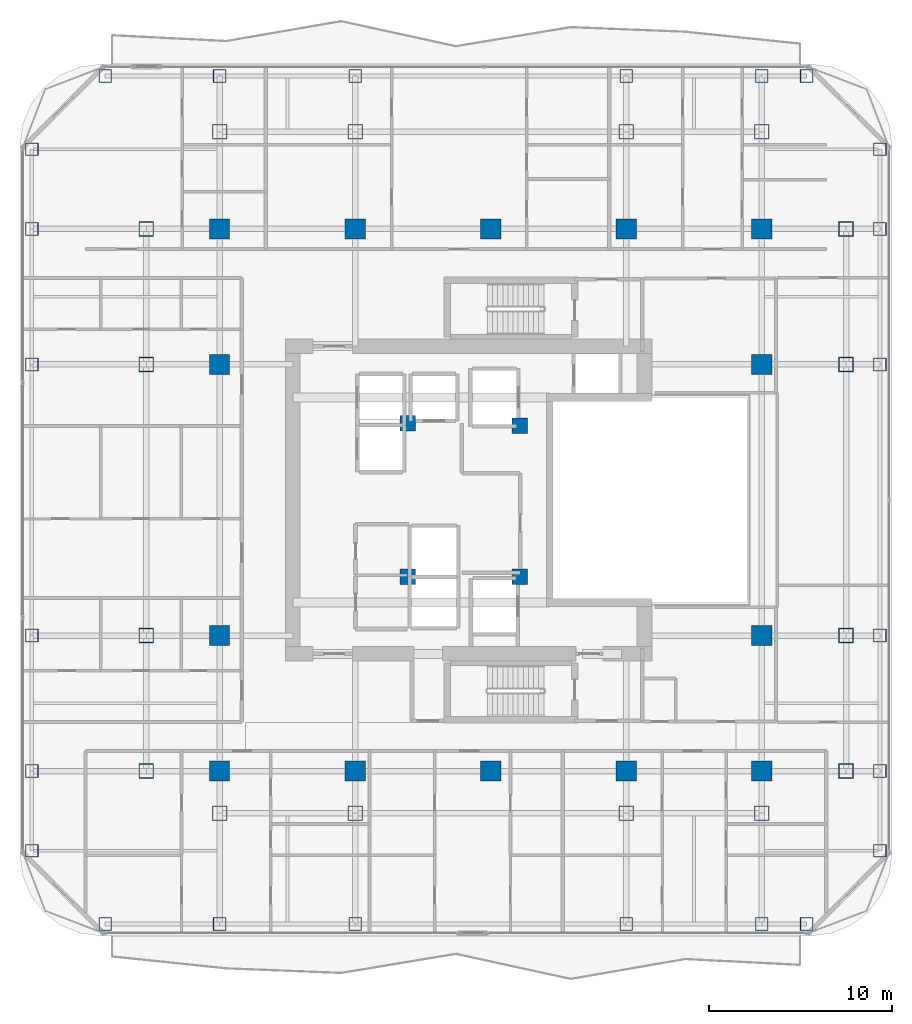
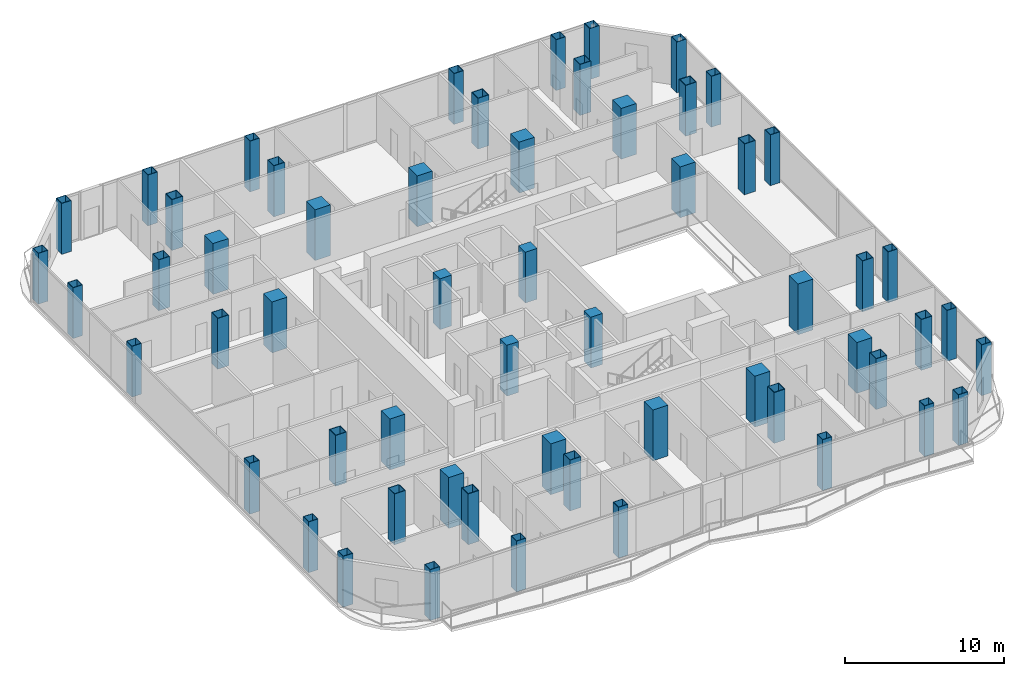
# One storey, part 1 of 26: 58 columns.
"""IFC4 building model written with IfcOpenShell, lengths in metres."""

from ifc_helpers import new_model, si_unit, direction, frame, origin, origin_2d, place, context, subcontext, project, spatial, rectangle, hollow_rectangle, extrude, material, material_profile, profile_set, type_object, element, save


model = new_model("IFC4")

# Units and contexts
model_context = context("Model", 3, precision=1e-05, world=origin(), true_north=direction((0.0, 1.0)))
body_context = subcontext(model_context, "Body", "Model", "MODEL_VIEW")
ifc_project = project(units=[si_unit("LENGTHUNIT", "METRE"), si_unit("AREAUNIT", "SQUARE_METRE"), si_unit("VOLUMEUNIT", "CUBIC_METRE"), si_unit("PLANEANGLEUNIT", "RADIAN"), si_unit("MASSUNIT", "GRAM", prefix="KILO")], contexts=[model_context])

# Site, building, storey
site_placement = place(None, origin())
site = spatial("IfcSite", under=ifc_project, at=site_placement, CompositionType="ELEMENT")
building_placement = place(site_placement, origin())
building = spatial("IfcBuilding", under=site, at=building_placement, Name="Khorvyn Point Tower", CompositionType="ELEMENT")
storey_placement = place(building_placement, frame((0.0, 0.0, 183.60009765625)))
storey = spatial("IfcBuildingStorey", under=building, at=storey_placement, Name="L45", CompositionType="ELEMENT", Elevation=183.60009765625)

# Columns
ifc_material_1 = material(Name="Concrete C40/50", Category="concrete")
ifc_material_profile_1 = material_profile(ifc_material_1, rectangle(XDim=0.85009765625, YDim=0.85009765625, at=origin_2d()))
ifc_profile_set_1 = profile_set([ifc_material_profile_1], Name="Concrete C40/50 RC850x850")
column_type_1 = type_object("IfcColumnType", Name="Concrete C40/50 Column RC850x850", PredefinedType="COLUMN", material=ifc_profile_set_1)
for number, where, z_axis, x_axis, name in (
    (1, (-4.52001953125, -4.199951171875, 0.0), (0.0, 0.0, 1.0), (1.0, 0.0, 0.0), "L45 Crown Core Spine Column 1"),
    (2, (1.580078125, -4.179931640625, 0.0), (0.0, 0.0, 1.0), (1.0, 0.0, 0.0), "L45 Crown Core Spine Column 2"),
    (3, (1.580078125, 4.050048828125, 0.0), (0.0, 0.0, 1.0), (1.0, 0.0, 0.0), "L45 Crown Core Spine Column 3"),
    (4, (-4.52001953125, 4.199951171875, 0.0), (0.0, 0.0, 1.0), (1.0, 0.0, 0.0), "L45 Crown Core Spine Column 4"),
):
    element("IfcColumn", number, at=place(storey_placement, frame(where, z_axis=z_axis, x_axis=x_axis)), inside=storey, type_object=column_type_1, Name=name, PredefinedType="COLUMN", context=body_context, shape_type="SweptSolid", body=[
        extrude(rectangle(XDim=0.85009765625, YDim=0.85009765625, at=origin_2d()), origin(), (0.0, 0.0, 1.0), 3.89990234375),
    ])
ifc_material_2 = material(Name="Concrete C45/55", Category="concrete")
ifc_material_profile_2 = material_profile(ifc_material_2, rectangle(XDim=1.10009765625, YDim=1.10009765625, at=origin_2d()))
ifc_profile_set_2 = profile_set([ifc_material_profile_2], Name="Concrete C45/55 RC1100x1100")
column_type_2 = type_object("IfcColumnType", Name="Concrete C45/55 Column RC1100x1100", PredefinedType="COLUMN", material=ifc_profile_set_2)
for number, where, z_axis, x_axis, name in (
    (5, (-14.800048828125, -14.800048828125, 0.0), (0.0, 0.0, 1.0), (1.0, 0.0, 0.0), "L45 Mega-Column MC-01"),
    (6, (-7.39990234375, -14.800048828125, 0.0), (0.0, 0.0, 1.0), (1.0, 0.0, 0.0), "L45 Mega-Column MC-02"),
    (7, (0.0, -14.800048828125, 0.0), (0.0, 0.0, 1.0), (1.0, 0.0, 0.0), "L45 Mega-Column MC-03"),
    (8, (7.39990234375, -14.800048828125, 0.0), (0.0, 0.0, 1.0), (1.0, 0.0, 0.0), "L45 Mega-Column MC-04"),
    (9, (14.800048828125, -14.800048828125, 0.0), (0.0, 0.0, 1.0), (1.0, 0.0, 0.0), "L45 Mega-Column MC-05"),
    (10, (-14.800048828125, 14.800048828125, 0.0), (0.0, 0.0, 1.0), (1.0, 0.0, 0.0), "L45 Mega-Column MC-06"),
    (11, (-7.39990234375, 14.800048828125, 0.0), (0.0, 0.0, 1.0), (1.0, 0.0, 0.0), "L45 Mega-Column MC-07"),
    (12, (0.0, 14.800048828125, 0.0), (0.0, 0.0, 1.0), (1.0, 0.0, 0.0), "L45 Mega-Column MC-08"),
    (13, (7.39990234375, 14.800048828125, 0.0), (0.0, 0.0, 1.0), (1.0, 0.0, 0.0), "L45 Mega-Column MC-09"),
    (14, (14.800048828125, 14.800048828125, 0.0), (0.0, 0.0, 1.0), (1.0, 0.0, 0.0), "L45 Mega-Column MC-10"),
    (15, (-14.800048828125, -7.39990234375, 0.0), (0.0, 0.0, 1.0), (1.0, 0.0, 0.0), "L45 Mega-Column MC-11"),
    (16, (-14.800048828125, 7.39990234375, 0.0), (0.0, 0.0, 1.0), (1.0, 0.0, 0.0), "L45 Mega-Column MC-12"),
    (17, (14.800048828125, -7.39990234375, 0.0), (0.0, 0.0, 1.0), (1.0, 0.0, 0.0), "L45 Mega-Column MC-13"),
    (18, (14.800048828125, 7.39990234375, 0.0), (0.0, 0.0, 1.0), (1.0, 0.0, 0.0), "L45 Mega-Column MC-14"),
):
    element("IfcColumn", number, at=place(storey_placement, frame(where, z_axis=z_axis, x_axis=x_axis)), inside=storey, type_object=column_type_2, Name=name, PredefinedType="COLUMN", context=body_context, shape_type="SweptSolid", body=[
        extrude(rectangle(XDim=1.10009765625, YDim=1.10009765625, at=origin_2d()), origin(), (0.0, 0.0, 1.0), 3.89990234375),
    ])
ifc_material_3 = material(Name="Steel S450", Category="steel")
ifc_material_profile_3 = material_profile(ifc_material_3, hollow_rectangle(XDim=0.699951171875, YDim=0.699951171875, WallThickness=0.031982421875, at=origin_2d()))
ifc_profile_set_3 = profile_set([ifc_material_profile_3], Name="Steel S450 BOX700x700x32")
column_type_3 = type_object("IfcColumnType", Name="Steel S450 Structural Column BOX700x700x32", PredefinedType="COLUMN", material=ifc_profile_set_3)
for number, where, z_axis, x_axis, name in (
    (19, (-21.050048828125, -23.14990234375, 0.0), (0.0, 0.0, 1.0), (1.0, 0.0, 0.0), "L45 Perimeter Tube Column TC-01"),
    (20, (17.25, -23.14990234375, 0.0), (0.0, 0.0, 1.0), (1.0, 0.0, 0.0), "L45 Perimeter Tube Column TC-02"),
    (21, (-21.050048828125, 23.14990234375, 0.0), (0.0, 0.0, 1.0), (1.0, 0.0, 0.0), "L45 Perimeter Tube Column TC-03"),
    (22, (17.25, 23.14990234375, 0.0), (0.0, 0.0, 1.0), (1.0, 0.0, 0.0), "L45 Perimeter Tube Column TC-04"),
    (23, (-25.050048828125, -19.14990234375, 0.0), (0.0, 0.0, 1.0), (1.0, 0.0, 0.0), "L45 Perimeter Tube Column TC-05"),
    (24, (-25.050048828125, 19.14990234375, 0.0), (0.0, 0.0, 1.0), (1.0, 0.0, 0.0), "L45 Perimeter Tube Column TC-06"),
    (25, (21.25, -19.14990234375, 0.0), (0.0, 0.0, 1.0), (1.0, 0.0, 0.0), "L45 Perimeter Tube Column TC-07"),
    (26, (21.25, 19.14990234375, 0.0), (0.0, 0.0, 1.0), (1.0, 0.0, 0.0), "L45 Perimeter Tube Column TC-08"),
    (27, (-14.800048828125, -23.14990234375, 0.0), (0.0, 0.0, 1.0), (1.0, 0.0, 0.0), "L45 Perimeter Tube Column TC-09"),
    (28, (-14.800048828125, 23.14990234375, 0.0), (0.0, 0.0, 1.0), (1.0, 0.0, 0.0), "L45 Perimeter Tube Column TC-10"),
    (29, (-7.39990234375, -23.14990234375, 0.0), (0.0, 0.0, 1.0), (1.0, 0.0, 0.0), "L45 Perimeter Tube Column TC-11"),
    (30, (-7.39990234375, 23.14990234375, 0.0), (0.0, 0.0, 1.0), (1.0, 0.0, 0.0), "L45 Perimeter Tube Column TC-12"),
    (31, (7.39990234375, -23.14990234375, 0.0), (0.0, 0.0, 1.0), (1.0, 0.0, 0.0), "L45 Perimeter Tube Column TC-13"),
    (32, (7.39990234375, 23.14990234375, 0.0), (0.0, 0.0, 1.0), (1.0, 0.0, 0.0), "L45 Perimeter Tube Column TC-14"),
    (33, (14.800048828125, -23.14990234375, 0.0), (0.0, 0.0, 1.0), (1.0, 0.0, 0.0), "L45 Perimeter Tube Column TC-15"),
    (34, (14.800048828125, 23.14990234375, 0.0), (0.0, 0.0, 1.0), (1.0, 0.0, 0.0), "L45 Perimeter Tube Column TC-16"),
    (35, (-25.050048828125, -14.800048828125, 0.0), (0.0, 0.0, 1.0), (1.0, 0.0, 0.0), "L45 Perimeter Tube Column TC-17"),
    (36, (21.25, -14.800048828125, 0.0), (0.0, 0.0, 1.0), (1.0, 0.0, 0.0), "L45 Perimeter Tube Column TC-18"),
    (37, (-25.050048828125, -7.39990234375, 0.0), (0.0, 0.0, 1.0), (1.0, 0.0, 0.0), "L45 Perimeter Tube Column TC-19"),
    (38, (21.25, -7.39990234375, 0.0), (0.0, 0.0, 1.0), (1.0, 0.0, 0.0), "L45 Perimeter Tube Column TC-20"),
    (39, (-25.050048828125, 7.39990234375, 0.0), (0.0, 0.0, 1.0), (1.0, 0.0, 0.0), "L45 Perimeter Tube Column TC-21"),
    (40, (21.25, 7.39990234375, 0.0), (0.0, 0.0, 1.0), (1.0, 0.0, 0.0), "L45 Perimeter Tube Column TC-22"),
    (41, (-25.050048828125, 14.800048828125, 0.0), (0.0, 0.0, 1.0), (1.0, 0.0, 0.0), "L45 Perimeter Tube Column TC-23"),
    (42, (21.25, 14.800048828125, 0.0), (0.0, 0.0, 1.0), (1.0, 0.0, 0.0), "L45 Perimeter Tube Column TC-24"),
):
    element("IfcColumn", number, at=place(storey_placement, frame(where, z_axis=z_axis, x_axis=x_axis)), inside=storey, type_object=column_type_3, Name=name, PredefinedType="COLUMN", context=body_context, shape_type="SweptSolid", body=[
        extrude(hollow_rectangle(XDim=0.699951171875, YDim=0.699951171875, WallThickness=0.031982421875, at=origin_2d()), origin(), (0.0, 0.0, 1.0), 3.89990234375),
    ])
ifc_material_profile_4 = material_profile(ifc_material_3, hollow_rectangle(XDim=0.800048828125, YDim=0.800048828125, WallThickness=0.035888671875, at=origin_2d()))
ifc_profile_set_4 = profile_set([ifc_material_profile_4], Name="Steel S450 BOX800x800x36")
column_type_4 = type_object("IfcColumnType", Name="Steel S450 Structural Column BOX800x800x36", PredefinedType="COLUMN", material=ifc_profile_set_4)
for number, where, z_axis, x_axis, name in (
    (43, (-18.800048828125, -14.800048828125, 0.0), (0.0, 0.0, 1.0), (1.0, 0.0, 0.0), "L45 Intermediate Column ICW--14"),
    (44, (-18.800048828125, -7.39990234375, 0.0), (0.0, 0.0, 1.0), (1.0, 0.0, 0.0), "L45 Intermediate Column ICW--7"),
    (45, (-18.800048828125, 7.39990234375, 0.0), (0.0, 0.0, 1.0), (1.0, 0.0, 0.0), "L45 Intermediate Column ICW-7"),
    (46, (-18.800048828125, 14.800048828125, 0.0), (0.0, 0.0, 1.0), (1.0, 0.0, 0.0), "L45 Intermediate Column ICW-14"),
    (47, (19.39990234375, -14.800048828125, 0.0), (0.0, 0.0, 1.0), (1.0, 0.0, 0.0), "L45 Intermediate Column ICE--14"),
    (48, (19.39990234375, -7.39990234375, 0.0), (0.0, 0.0, 1.0), (1.0, 0.0, 0.0), "L45 Intermediate Column ICE--7"),
    (49, (19.39990234375, 7.39990234375, 0.0), (0.0, 0.0, 1.0), (1.0, 0.0, 0.0), "L45 Intermediate Column ICE-7"),
    (50, (19.39990234375, 14.800048828125, 0.0), (0.0, 0.0, 1.0), (1.0, 0.0, 0.0), "L45 Intermediate Column ICE-14"),
    (51, (-14.800048828125, -17.10009765625, 0.0), (0.0, 0.0, 1.0), (1.0, 0.0, 0.0), "L45 Intermediate Column ICS--14"),
    (52, (-7.39990234375, -17.10009765625, 0.0), (0.0, 0.0, 1.0), (1.0, 0.0, 0.0), "L45 Intermediate Column ICS--7"),
    (53, (7.39990234375, -17.10009765625, 0.0), (0.0, 0.0, 1.0), (1.0, 0.0, 0.0), "L45 Intermediate Column ICS-7"),
    (54, (14.800048828125, -17.10009765625, 0.0), (0.0, 0.0, 1.0), (1.0, 0.0, 0.0), "L45 Intermediate Column ICS-14"),
    (55, (-14.800048828125, 20.10009765625, 0.0), (0.0, 0.0, 1.0), (1.0, 0.0, 0.0), "L45 Intermediate Column ICN--14"),
    (56, (-7.39990234375, 20.10009765625, 0.0), (0.0, 0.0, 1.0), (1.0, 0.0, 0.0), "L45 Intermediate Column ICN--7"),
    (57, (7.39990234375, 20.10009765625, 0.0), (0.0, 0.0, 1.0), (1.0, 0.0, 0.0), "L45 Intermediate Column ICN-7"),
    (58, (14.800048828125, 20.10009765625, 0.0), (0.0, 0.0, 1.0), (1.0, 0.0, 0.0), "L45 Intermediate Column ICN-14"),
):
    element("IfcColumn", number, at=place(storey_placement, frame(where, z_axis=z_axis, x_axis=x_axis)), inside=storey, type_object=column_type_4, Name=name, PredefinedType="COLUMN", context=body_context, shape_type="SweptSolid", body=[
        extrude(hollow_rectangle(XDim=0.800048828125, YDim=0.800048828125, WallThickness=0.035888671875, at=origin_2d()), origin(), (0.0, 0.0, 1.0), 3.89990234375),
    ])

save(model, "model.ifc")
